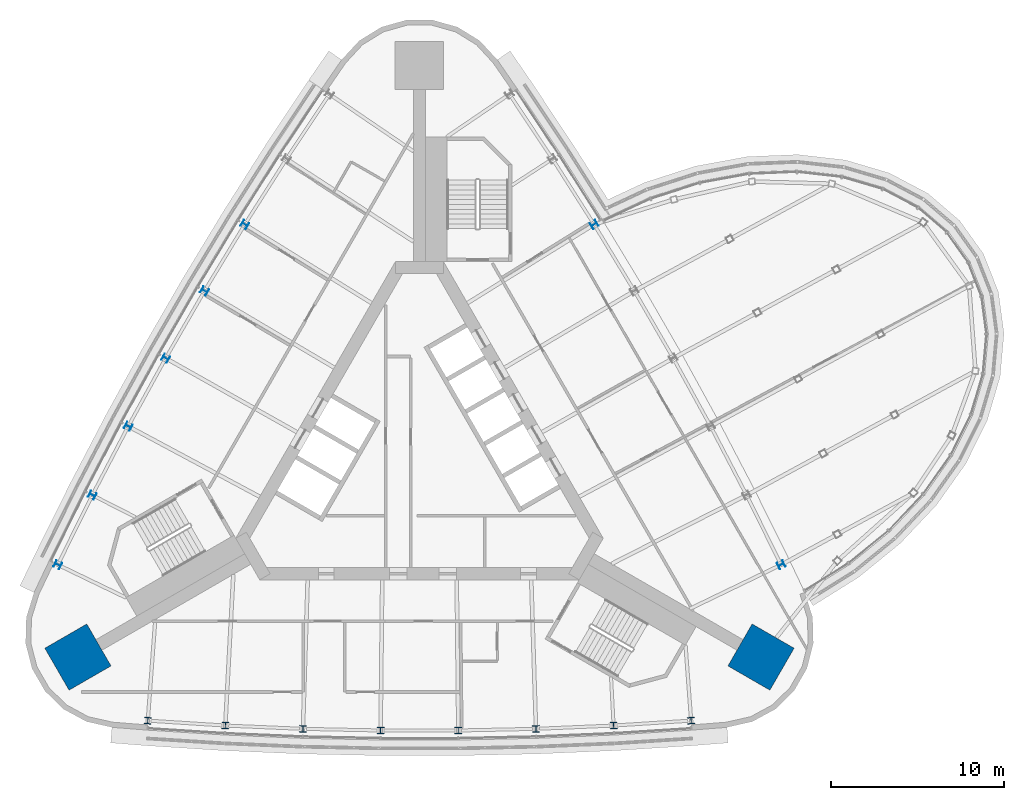
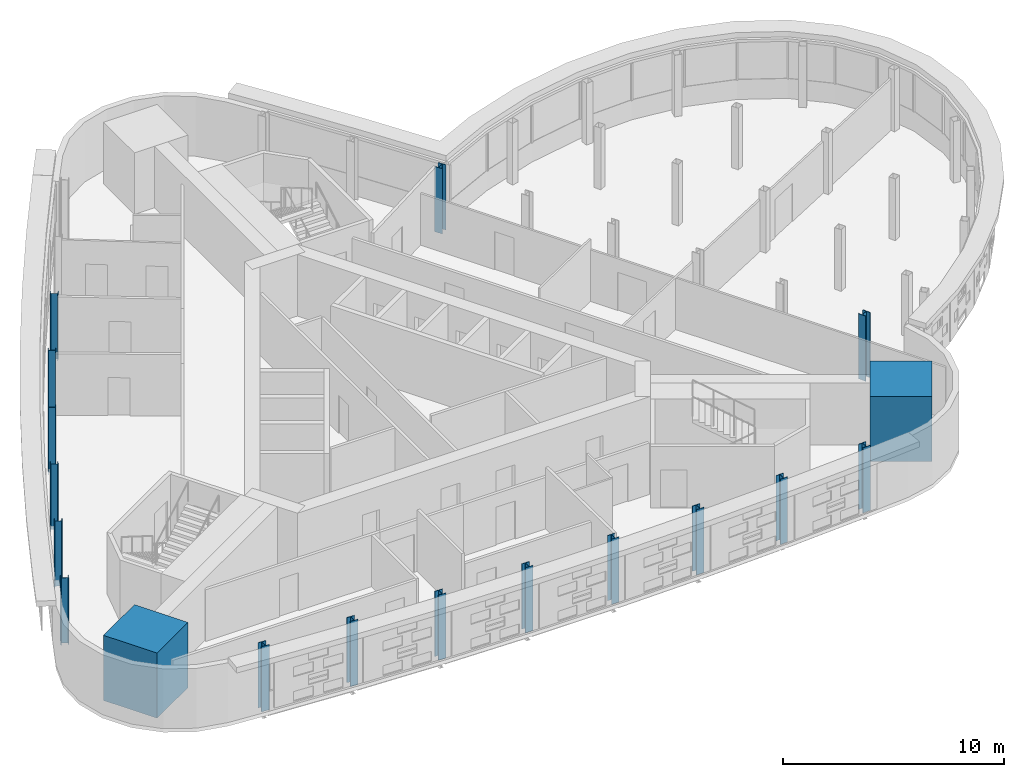
# One storey, part 1 of 15: 18 columns.
"""IFC4 building model written with IfcOpenShell, lengths in metres."""

from ifc_helpers import new_model, si_unit, direction, frame, origin, origin_2d, place, context, subcontext, project, spatial, rectangle, i_section, extrude, material, material_profile, profile_set, type_object, element, save


model = new_model("IFC4")

# Units and contexts
model_context = context("Model", 3, precision=1e-05, world=origin(), true_north=direction((0.0, 1.0)))
body_context = subcontext(model_context, "Body", "Model", "MODEL_VIEW")
ifc_project = project(units=[si_unit("LENGTHUNIT", "METRE"), si_unit("AREAUNIT", "SQUARE_METRE"), si_unit("VOLUMEUNIT", "CUBIC_METRE"), si_unit("PLANEANGLEUNIT", "RADIAN"), si_unit("MASSUNIT", "GRAM", prefix="KILO")], contexts=[model_context])

# Site, building, storey
site_placement = place(None, origin())
site = spatial("IfcSite", under=ifc_project, at=site_placement, CompositionType="ELEMENT")
building_placement = place(site_placement, origin())
building = spatial("IfcBuilding", under=site, at=building_placement, Name="Noor Cloister Tower", CompositionType="ELEMENT")
storey_placement = place(building_placement, frame((0.0, 0.0, 177.89990234375)))
storey = spatial("IfcBuildingStorey", under=building, at=storey_placement, Name="L45", CompositionType="ELEMENT", Elevation=177.89990234375)

# Columns
ifc_material_1 = material(Name="Steel ASTM A992 Gr 50", Category="steel")
ifc_material_profile_1 = material_profile(ifc_material_1, i_section(OverallWidth=0.39404296875, OverallDepth=0.3759765625, WebThickness=0.017333984375, FlangeThickness=0.027587890625, FilletRadius=0.01513671875, at=origin_2d()), Name="W360x216")
ifc_profile_set_1 = profile_set([ifc_material_profile_1], Name="Steel ASTM A992 Gr 50")
column_type_1 = type_object("IfcColumnType", Name="Column W360x216", PredefinedType="COLUMN", material=ifc_profile_set_1)
for number, where, z_axis, x_axis, name in (
    (1, (-10.0908203125, 13.5986328125, -0.199951171875), (0.0, 0.0, 1.0), (-0.527258715049, -0.849704800154, 0.0), "Column NW 03 L45"),
    (2, (-12.416748046875, 9.760009765625, -0.199951171875), (0.0, 0.0, 1.0), (-0.509143685622, -0.860681536569, 0.0), "Column NW 04 L45"),
    (3, (-14.660888671875, 5.873291015625, -0.199951171875), (0.0, 0.0, 1.0), (-0.490800232426, -0.87127213421, 0.0), "Column NW 05 L45"),
    (4, (-16.822265625, 1.939453125, -0.199951171875), (0.0, 0.0, 1.0), (-0.472236585126, -0.881471841676, 0.0), "Column NW 06 L45"),
    (5, (-18.899658203125, -2.0390625, -0.199951171875), (0.0, 0.0, 1.0), (-0.453461072156, -0.89127608295, 0.0), "Column NW 07 L45"),
    (6, (-20.892578125, -6.060546875, -0.199951171875), (0.0, 0.0, 1.0), (-0.434482117051, -0.90068045941, 0.0), "Column NW 08 L45"),
    (7, (-15.69482421875, -15.063232421875, -0.199951171875), (0.0, 0.0, 1.0), (0.997253217067, -0.074067678849, 0.0), "Column S 01 L45"),
    (8, (-11.215576171875, -15.34814453125, -0.199951171875), (0.0, 0.0, 1.0), (0.998598265698, -0.05292923336, 0.0), "Column S 02 L45"),
    (9, (-6.7314453125, -15.538330078125, -0.199951171875), (0.0, 0.0, 1.0), (0.999495300175, -0.031767041523, 0.0), "Column S 03 L45"),
    (10, (-2.244140625, -15.63330078125, -0.199951171875), (0.0, 0.0, 1.0), (0.999943918048, -0.01059059764, 0.0), "Column S 04 L45"),
    (11, (2.244140625, -15.63330078125, -0.199951171875), (0.0, 0.0, 1.0), (0.999943918048, 0.01059059764, 0.0), "Column S 05 L45"),
    (12, (6.7314453125, -15.538330078125, -0.199951171875), (0.0, 0.0, 1.0), (0.999495300175, 0.031767041523, 0.0), "Column S 06 L45"),
    (13, (11.215576171875, -15.34814453125, -0.199951171875), (0.0, 0.0, 1.0), (0.998598265698, 0.05292923336, 0.0), "Column S 07 L45"),
    (14, (15.69482421875, -15.063232421875, -0.199951171875), (0.0, 0.0, 1.0), (0.997253217067, 0.074067678849, 0.0), "Column S 08 L45"),
    (15, (20.892578125, -6.060546875, -0.199951171875), (0.0, 0.0, 1.0), (-0.434482117051, 0.90068045941, 0.0), "Column NE 01 L45"),
    (16, (10.0908203125, 13.5986328125, -0.199951171875), (0.0, 0.0, 1.0), (-0.527258715049, 0.849704800154, 0.0), "Column NE 06 L45"),
):
    element("IfcColumn", number, at=place(storey_placement, frame(where, z_axis=z_axis, x_axis=x_axis)), inside=storey, type_object=column_type_1, Name=name, PredefinedType="COLUMN", context=body_context, shape_type="SweptSolid", body=[
        extrude(i_section(OverallWidth=0.39404296875, OverallDepth=0.3759765625, WebThickness=0.017333984375, FlangeThickness=0.027587890625, FilletRadius=0.01513671875, at=origin_2d()), origin(), (0.0, 0.0, 1.0), 3.60009765625),
    ])
ifc_material_2 = material(Name="Concrete C70/85", Category="concrete")
ifc_material_profile_2 = material_profile(ifc_material_2, rectangle(XDim=2.800048828125, YDim=2.800048828125, at=origin_2d()), Name="RC 2800x2800")
ifc_profile_set_2 = profile_set([ifc_material_profile_2], Name="Concrete C70/85")
column_type_2 = type_object("IfcColumnType", Name="Corner pier 2800 x 2800 C70/85", PredefinedType="COLUMN", material=ifc_profile_set_2)
for number, where, z_axis, x_axis, name in (
    (17, (-19.7314453125, -11.39208984375, -0.199951171875), (0.0, 0.0, 1.0), (-0.866025403784, -0.5, 0.0), "Corner pier SW L45"),
    (18, (19.7314453125, -11.39208984375, -0.199951171875), (0.0, 0.0, 1.0), (0.866025403784, -0.5, 0.0), "Corner pier SE L45"),
):
    element("IfcColumn", number, at=place(storey_placement, frame(where, z_axis=z_axis, x_axis=x_axis)), inside=storey, type_object=column_type_2, Name=name, PredefinedType="COLUMN", context=body_context, shape_type="SweptSolid", body=[
        extrude(rectangle(XDim=2.800048828125, YDim=2.800048828125, at=origin_2d()), origin(), (0.0, 0.0, 1.0), 3.60009765625),
    ])

save(model, "model.ifc")
